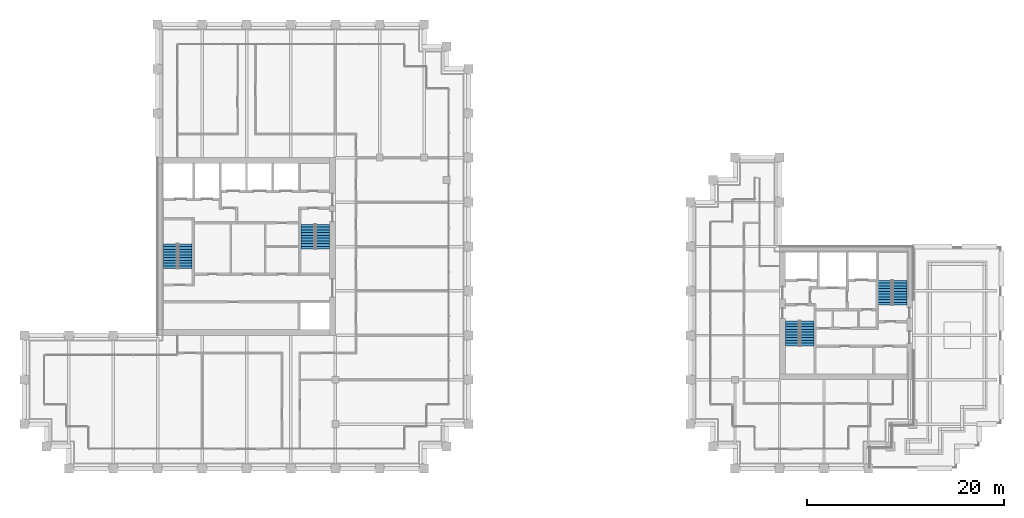
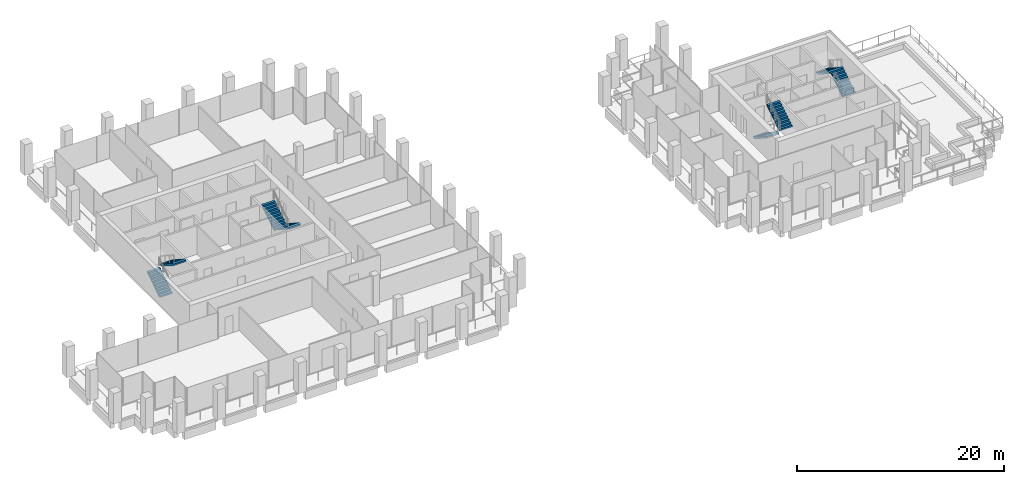
# One storey, part 42 of 44: 8 stair flights, 4 elements without a shape of their own.
"""IFC4 building model written with IfcOpenShell, lengths in metres."""

from ifc_helpers import new_model, si_unit, direction, frame, origin, place, context, subcontext, project, spatial, polyline, outline, extrude, material, type_object, element, aggregate, save


model = new_model("IFC4")

# Units and contexts
model_context = context("Model", 3, precision=1e-05, world=origin(), true_north=direction((0.0, 1.0)))
body_context = subcontext(model_context, "Body", "Model", "MODEL_VIEW")
ifc_project = project(units=[si_unit("LENGTHUNIT", "METRE"), si_unit("AREAUNIT", "SQUARE_METRE"), si_unit("VOLUMEUNIT", "CUBIC_METRE"), si_unit("PLANEANGLEUNIT", "RADIAN"), si_unit("MASSUNIT", "GRAM", prefix="KILO")], contexts=[model_context])

# Site, building, storey
site_placement = place(None, origin())
site = spatial("IfcSite", under=ifc_project, at=site_placement, CompositionType="ELEMENT")
building_placement = place(site_placement, origin())
building = spatial("IfcBuilding", under=site, at=building_placement, Name="Altepetl Exchange Towers", CompositionType="ELEMENT")
storey_placement = place(building_placement, frame((0.0, 0.0, 143.800048828125)))
storey = spatial("IfcBuildingStorey", under=building, at=storey_placement, Name="L35", CompositionType="ELEMENT", Elevation=143.800048828125)

# Stair, stair flights
ifc_material = material(Name="Concrete C40/50", Category="concrete")
stair_type = type_object("IfcStairType", Name="Exit stair 1400 flights dogleg", PredefinedType="HALF_TURN_STAIR", material=ifc_material)
stair_1_placement = place(storey_placement, origin())
stair_1 = element("IfcStair", 1, at=stair_1_placement, inside=storey, type_object=stair_type, Name="Exit stair 1", PredefinedType="HALF_TURN_STAIR")
stair_flight_type = type_object("IfcStairFlightType", Name="Stair flight 1400 wide", PredefinedType="STRAIGHT", material=ifc_material)
stair_flight_1_placement = place(storey_placement, frame((41.800048828125, 47.25, 0.0), z_axis=(0.0, 0.0, 1.0), x_axis=(0.0, 1.0, 0.0)))
stair_flight_1 = element("IfcStairFlight", 2, at=stair_flight_1_placement, type_object=stair_flight_type, Name="ST-A1e flight 1", NumberOfRisers=10, NumberOfTreads=9, PredefinedType="STRAIGHT", RiserHeight=0.18, TreadLength=0.28, context=body_context, shape_type="SweptSolid", body=[
    extrude(outline(polyline([(0.0, 0.0), (0.0, 0.179931640625), (0.280029296875, 0.179931640625), (0.280029296875, 0.360107421875), (0.56005859375, 0.360107421875), (0.56005859375, 0.5400390625), (0.840087890625, 0.5400390625), (0.840087890625, 0.719970703125), (1.1201171875, 0.719970703125), (1.1201171875, 0.89990234375), (1.39990234375, 0.89990234375), (1.39990234375, 1.080078125), (1.679931640625, 1.080078125), (1.679931640625, 1.260009765625), (1.9599609375, 1.260009765625), (1.9599609375, 1.43994140625), (2.239990234375, 1.43994140625), (2.239990234375, 1.6201171875), (2.52001953125, 1.6201171875), (2.52001953125, 1.800048828125), (2.52001953125, 1.44189453125), (0.277099609375, 0.0), (0.0, 0.0)])), frame((0.0, 0.699951171875, 0.0), z_axis=(0.0, -1.0, 0.0), x_axis=(1.0, 0.0, 0.0)), (0.0, 0.0, 1.0), 1.39990234375),
])
stair_flight_2_placement = place(storey_placement, frame((43.300048828125, 49.77001953125, 1.800048828125), z_axis=(0.0, 0.0, 1.0), x_axis=(0.0, -1.0, 0.0)))
stair_flight_2 = element("IfcStairFlight", 3, at=stair_flight_2_placement, type_object=stair_flight_type, Name="ST-A1e flight 2", NumberOfRisers=10, NumberOfTreads=9, PredefinedType="STRAIGHT", RiserHeight=0.18, TreadLength=0.28, context=body_context, shape_type="SweptSolid", body=[
    extrude(outline(polyline([(0.0, 0.0), (0.0, 0.179931640625), (0.280029296875, 0.179931640625), (0.280029296875, 0.360107421875), (0.56005859375, 0.360107421875), (0.56005859375, 0.5400390625), (0.840087890625, 0.5400390625), (0.840087890625, 0.719970703125), (1.1201171875, 0.719970703125), (1.1201171875, 0.89990234375), (1.39990234375, 0.89990234375), (1.39990234375, 1.080078125), (1.679931640625, 1.080078125), (1.679931640625, 1.260009765625), (1.9599609375, 1.260009765625), (1.9599609375, 1.43994140625), (2.239990234375, 1.43994140625), (2.239990234375, 1.6201171875), (2.52001953125, 1.6201171875), (2.52001953125, 1.800048828125), (2.52001953125, 1.44189453125), (0.277099609375, 0.0), (0.0, 0.0)])), frame((0.0, 0.699951171875, 0.0), z_axis=(0.0, -1.0, 0.0), x_axis=(1.0, 0.0, 0.0)), (0.0, 0.0, 1.0), 1.39990234375),
])
aggregate(stair_1, [stair_flight_1, stair_flight_2])

stair_2_placement = place(storey_placement, origin())
stair_2 = element("IfcStair", 4, at=stair_2_placement, inside=storey, type_object=stair_type, Name="Exit stair 2", PredefinedType="HALF_TURN_STAIR")
stair_flight_3_placement = place(storey_placement, frame((57.199951171875, 51.75, 0.0), z_axis=(0.0, 0.0, 1.0), x_axis=(0.0, -1.0, 0.0)))
stair_flight_3 = element("IfcStairFlight", 5, at=stair_flight_3_placement, type_object=stair_flight_type, Name="ST-A2e flight 1", NumberOfRisers=10, NumberOfTreads=9, PredefinedType="STRAIGHT", RiserHeight=0.18, TreadLength=0.28, context=body_context, shape_type="SweptSolid", body=[
    extrude(outline(polyline([(0.0, 0.0), (0.0, 0.179931640625), (0.280029296875, 0.179931640625), (0.280029296875, 0.360107421875), (0.56005859375, 0.360107421875), (0.56005859375, 0.5400390625), (0.840087890625, 0.5400390625), (0.840087890625, 0.719970703125), (1.1201171875, 0.719970703125), (1.1201171875, 0.89990234375), (1.39990234375, 0.89990234375), (1.39990234375, 1.080078125), (1.679931640625, 1.080078125), (1.679931640625, 1.260009765625), (1.9599609375, 1.260009765625), (1.9599609375, 1.43994140625), (2.239990234375, 1.43994140625), (2.239990234375, 1.6201171875), (2.52001953125, 1.6201171875), (2.52001953125, 1.800048828125), (2.52001953125, 1.44189453125), (0.277099609375, 0.0), (0.0, 0.0)])), frame((0.0, 0.699951171875, 0.0), z_axis=(0.0, -1.0, 0.0), x_axis=(1.0, 0.0, 0.0)), (0.0, 0.0, 1.0), 1.39990234375),
])
stair_flight_4_placement = place(storey_placement, frame((55.699951171875, 49.22998046875, 1.800048828125), z_axis=(0.0, 0.0, 1.0), x_axis=(0.0, 1.0, 0.0)))
stair_flight_4 = element("IfcStairFlight", 6, at=stair_flight_4_placement, type_object=stair_flight_type, Name="ST-A2e flight 2", NumberOfRisers=10, NumberOfTreads=9, PredefinedType="STRAIGHT", RiserHeight=0.18, TreadLength=0.28, context=body_context, shape_type="SweptSolid", body=[
    extrude(outline(polyline([(0.0, 0.0), (0.0, 0.179931640625), (0.280029296875, 0.179931640625), (0.280029296875, 0.360107421875), (0.56005859375, 0.360107421875), (0.56005859375, 0.5400390625), (0.840087890625, 0.5400390625), (0.840087890625, 0.719970703125), (1.1201171875, 0.719970703125), (1.1201171875, 0.89990234375), (1.39990234375, 0.89990234375), (1.39990234375, 1.080078125), (1.679931640625, 1.080078125), (1.679931640625, 1.260009765625), (1.9599609375, 1.260009765625), (1.9599609375, 1.43994140625), (2.239990234375, 1.43994140625), (2.239990234375, 1.6201171875), (2.52001953125, 1.6201171875), (2.52001953125, 1.800048828125), (2.52001953125, 1.44189453125), (0.277099609375, 0.0), (0.0, 0.0)])), frame((0.0, 0.699951171875, 0.0), z_axis=(0.0, -1.0, 0.0), x_axis=(1.0, 0.0, 0.0)), (0.0, 0.0, 1.0), 1.39990234375),
])
aggregate(stair_2, [stair_flight_3, stair_flight_4])

stair_3_placement = place(storey_placement, origin())
stair_3 = element("IfcStair", 7, at=stair_3_placement, inside=storey, type_object=stair_type, Name="Exit stair 1", PredefinedType="HALF_TURN_STAIR")
stair_flight_5_placement = place(storey_placement, frame((104.800048828125, 41.949951171875, 0.0), z_axis=(0.0, 0.0, 1.0), x_axis=(0.0, -1.0, 0.0)))
stair_flight_5 = element("IfcStairFlight", 8, at=stair_flight_5_placement, type_object=stair_flight_type, Name="ST-B1e flight 1", NumberOfRisers=10, NumberOfTreads=9, PredefinedType="STRAIGHT", RiserHeight=0.18, TreadLength=0.28, context=body_context, shape_type="SweptSolid", body=[
    extrude(outline(polyline([(0.0, 0.0), (0.0, 0.179931640625), (0.280029296875, 0.179931640625), (0.280029296875, 0.360107421875), (0.56005859375, 0.360107421875), (0.56005859375, 0.5400390625), (0.840087890625, 0.5400390625), (0.840087890625, 0.719970703125), (1.1201171875, 0.719970703125), (1.1201171875, 0.89990234375), (1.39990234375, 0.89990234375), (1.39990234375, 1.080078125), (1.679931640625, 1.080078125), (1.679931640625, 1.260009765625), (1.9599609375, 1.260009765625), (1.9599609375, 1.43994140625), (2.239990234375, 1.43994140625), (2.239990234375, 1.6201171875), (2.52001953125, 1.6201171875), (2.52001953125, 1.800048828125), (2.52001953125, 1.44189453125), (0.277099609375, 0.0), (0.0, 0.0)])), frame((0.0, 0.699951171875, 0.0), z_axis=(0.0, -1.0, 0.0), x_axis=(1.0, 0.0, 0.0)), (0.0, 0.0, 1.0), 1.39990234375),
])
stair_flight_6_placement = place(storey_placement, frame((106.300048828125, 39.429931640625, 1.800048828125), z_axis=(0.0, 0.0, 1.0), x_axis=(0.0, 1.0, 0.0)))
stair_flight_6 = element("IfcStairFlight", 9, at=stair_flight_6_placement, type_object=stair_flight_type, Name="ST-B1e flight 2", NumberOfRisers=10, NumberOfTreads=9, PredefinedType="STRAIGHT", RiserHeight=0.18, TreadLength=0.28, context=body_context, shape_type="SweptSolid", body=[
    extrude(outline(polyline([(0.0, 0.0), (0.0, 0.179931640625), (0.280029296875, 0.179931640625), (0.280029296875, 0.360107421875), (0.56005859375, 0.360107421875), (0.56005859375, 0.5400390625), (0.840087890625, 0.5400390625), (0.840087890625, 0.719970703125), (1.1201171875, 0.719970703125), (1.1201171875, 0.89990234375), (1.39990234375, 0.89990234375), (1.39990234375, 1.080078125), (1.679931640625, 1.080078125), (1.679931640625, 1.260009765625), (1.9599609375, 1.260009765625), (1.9599609375, 1.43994140625), (2.239990234375, 1.43994140625), (2.239990234375, 1.6201171875), (2.52001953125, 1.6201171875), (2.52001953125, 1.800048828125), (2.52001953125, 1.44189453125), (0.277099609375, 0.0), (0.0, 0.0)])), frame((0.0, 0.699951171875, 0.0), z_axis=(0.0, -1.0, 0.0), x_axis=(1.0, 0.0, 0.0)), (0.0, 0.0, 1.0), 1.39990234375),
])
aggregate(stair_3, [stair_flight_5, stair_flight_6])

stair_4_placement = place(storey_placement, origin())
stair_4 = element("IfcStair", 10, at=stair_4_placement, inside=storey, type_object=stair_type, Name="Exit stair 2", PredefinedType="HALF_TURN_STAIR")
stair_flight_7_placement = place(storey_placement, frame((115.699951171875, 43.550048828125, 0.0), z_axis=(0.0, 0.0, 1.0), x_axis=(0.0, 1.0, 0.0)))
stair_flight_7 = element("IfcStairFlight", 11, at=stair_flight_7_placement, type_object=stair_flight_type, Name="ST-B2e flight 1", NumberOfRisers=10, NumberOfTreads=9, PredefinedType="STRAIGHT", RiserHeight=0.18, TreadLength=0.28, context=body_context, shape_type="SweptSolid", body=[
    extrude(outline(polyline([(0.0, 0.0), (0.0, 0.179931640625), (0.280029296875, 0.179931640625), (0.280029296875, 0.360107421875), (0.56005859375, 0.360107421875), (0.56005859375, 0.5400390625), (0.840087890625, 0.5400390625), (0.840087890625, 0.719970703125), (1.1201171875, 0.719970703125), (1.1201171875, 0.89990234375), (1.39990234375, 0.89990234375), (1.39990234375, 1.080078125), (1.679931640625, 1.080078125), (1.679931640625, 1.260009765625), (1.9599609375, 1.260009765625), (1.9599609375, 1.43994140625), (2.239990234375, 1.43994140625), (2.239990234375, 1.6201171875), (2.52001953125, 1.6201171875), (2.52001953125, 1.800048828125), (2.52001953125, 1.44189453125), (0.277099609375, 0.0), (0.0, 0.0)])), frame((0.0, 0.699951171875, 0.0), z_axis=(0.0, -1.0, 0.0), x_axis=(1.0, 0.0, 0.0)), (0.0, 0.0, 1.0), 1.39990234375),
])
stair_flight_8_placement = place(storey_placement, frame((114.199951171875, 46.070068359375, 1.800048828125), z_axis=(0.0, 0.0, 1.0), x_axis=(0.0, -1.0, 0.0)))
stair_flight_8 = element("IfcStairFlight", 12, at=stair_flight_8_placement, type_object=stair_flight_type, Name="ST-B2e flight 2", NumberOfRisers=10, NumberOfTreads=9, PredefinedType="STRAIGHT", RiserHeight=0.18, TreadLength=0.28, context=body_context, shape_type="SweptSolid", body=[
    extrude(outline(polyline([(0.0, 0.0), (0.0, 0.179931640625), (0.280029296875, 0.179931640625), (0.280029296875, 0.360107421875), (0.56005859375, 0.360107421875), (0.56005859375, 0.5400390625), (0.840087890625, 0.5400390625), (0.840087890625, 0.719970703125), (1.1201171875, 0.719970703125), (1.1201171875, 0.89990234375), (1.39990234375, 0.89990234375), (1.39990234375, 1.080078125), (1.679931640625, 1.080078125), (1.679931640625, 1.260009765625), (1.9599609375, 1.260009765625), (1.9599609375, 1.43994140625), (2.239990234375, 1.43994140625), (2.239990234375, 1.6201171875), (2.52001953125, 1.6201171875), (2.52001953125, 1.800048828125), (2.52001953125, 1.44189453125), (0.277099609375, 0.0), (0.0, 0.0)])), frame((0.0, 0.699951171875, 0.0), z_axis=(0.0, -1.0, 0.0), x_axis=(1.0, 0.0, 0.0)), (0.0, 0.0, 1.0), 1.39990234375),
])
aggregate(stair_4, [stair_flight_7, stair_flight_8])

save(model, "model.ifc")
